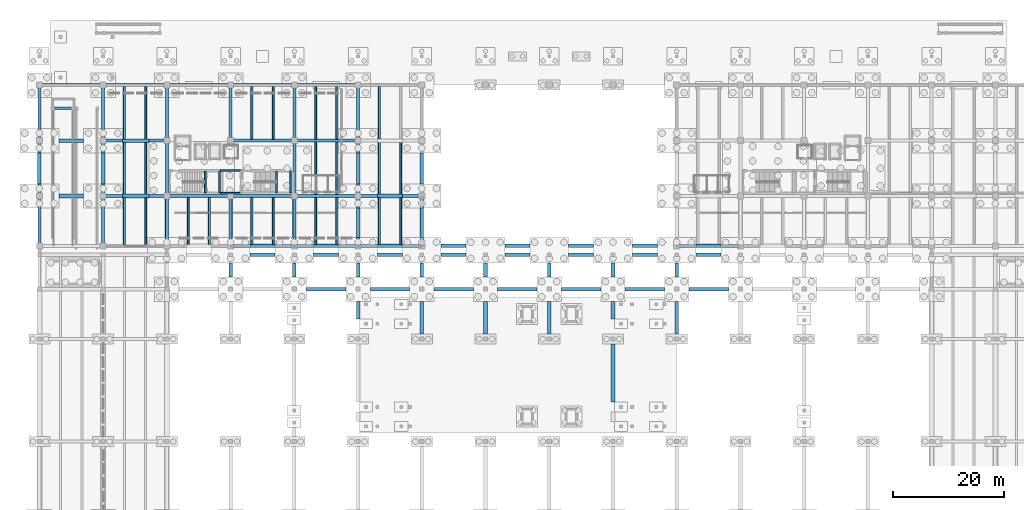
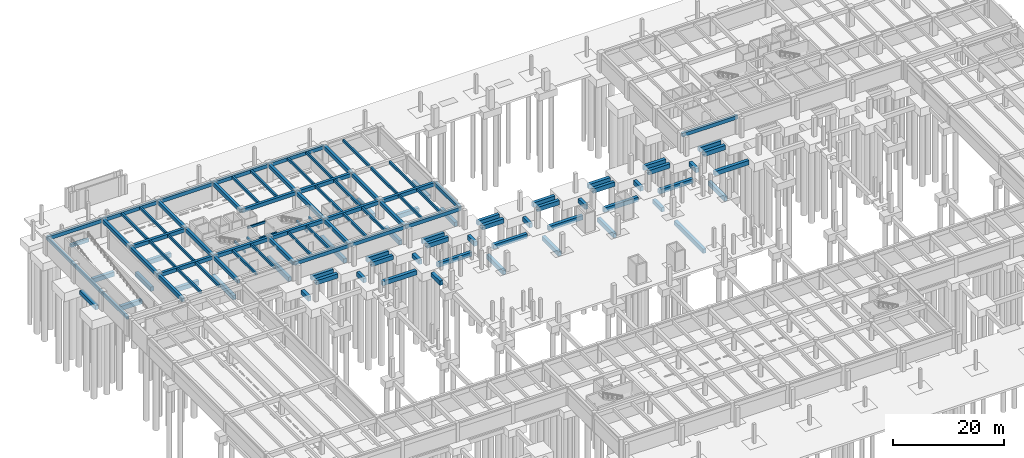
# One storey, part 13 of 28: 117 beams.
"""IFC4 building model written with IfcOpenShell, lengths in metres."""

from ifc_helpers import new_model, si_unit, direction, frame, origin, origin_2d, place, context, subcontext, project, spatial, rectangle, extrude, material, material_profile, profile_set, type_object, element, save


model = new_model("IFC4")

# Units and contexts
model_context = context("Model", 3, precision=1e-05, world=origin(), true_north=direction((0.0, 1.0)))
body_context = subcontext(model_context, "Body", "Model", "MODEL_VIEW")
ifc_project = project(units=[si_unit("LENGTHUNIT", "METRE"), si_unit("AREAUNIT", "SQUARE_METRE"), si_unit("VOLUMEUNIT", "CUBIC_METRE"), si_unit("PLANEANGLEUNIT", "RADIAN"), si_unit("MASSUNIT", "GRAM", prefix="KILO")], contexts=[model_context])

# Site, building, storey
site_placement = place(None, origin())
site = spatial("IfcSite", under=ifc_project, at=site_placement, CompositionType="ELEMENT")
building_placement = place(site_placement, origin())
building = spatial("IfcBuilding", under=site, at=building_placement, Name="Ologun Quay Terminus", CompositionType="ELEMENT")
storey_placement = place(building_placement, frame((0.0, 0.0, -8.39990234375)))
storey = spatial("IfcBuildingStorey", under=building, at=storey_placement, Name="B02", CompositionType="ELEMENT", Elevation=-8.39990234375)

# Beams
ifc_material_1 = material(Name="Concrete C40/50", Category="concrete")
ifc_material_profile_1 = material_profile(ifc_material_1, rectangle(XDim=0.300048828125, YDim=0.449951171875, at=origin_2d()), Name="RC 300x450")
ifc_profile_set_1 = profile_set([ifc_material_profile_1], Name="Concrete C40/50")
beam_type_1 = type_object("IfcBeamType", Name="Core Coupling Lintel Beam 300x450", PredefinedType="LINTEL", material=ifc_profile_set_1)
for number, where, z_axis, x_axis, name in (
    (1, (32.64990234375, 95.324951171875, 3.724853515625), (1.0, 0.0, 0.0), (0.0, 1.0, 0.0), "LN1 Beam 4/H B02"),
    (2, (32.64990234375, 99.375, 3.724853515625), (1.0, 0.0, 0.0), (0.0, 1.0, 0.0), "LN1 Beam 4/H B02"),
):
    element("IfcBeam", number, at=place(storey_placement, frame(where, z_axis=z_axis, x_axis=x_axis)), inside=storey, type_object=beam_type_1, Name=name, PredefinedType="LINTEL", context=body_context, shape_type="SweptSolid", body=[
        extrude(rectangle(XDim=0.300048828125, YDim=0.449951171875, at=origin_2d()), origin(), (0.0, 0.0, 1.0), 3.7001953125),
    ])
for number, where, z_axis, x_axis, name in (
    (3, (29.93994140625, 95.429931640625, 1.69482421875), (0.0, 1.0, 0.0), (-1.0, 0.0, 0.0), "LN1 Half-Landing Ledger Beam ST-W1-W B02"),
    (4, (32.510009765625, 95.429931640625, 1.69482421875), (0.0, 1.0, 0.0), (-1.0, 0.0, 0.0), "LN1 Half-Landing Ledger Beam ST-W1-E B02"),
    (5, (42.7900390625, 95.429931640625, 1.69482421875), (0.0, 1.0, 0.0), (-1.0, 0.0, 0.0), "LN1 Half-Landing Ledger Beam ST-W2-W B02"),
    (6, (45.31005859375, 95.429931640625, 1.69482421875), (0.0, 1.0, 0.0), (-1.0, 0.0, 0.0), "LN1 Half-Landing Ledger Beam ST-W2-E B02"),
):
    element("IfcBeam", number, at=place(storey_placement, frame(where, z_axis=z_axis, x_axis=x_axis)), inside=storey, type_object=beam_type_1, Name=name, PredefinedType="LINTEL", context=body_context, shape_type="SweptSolid", body=[
        extrude(rectangle(XDim=0.300048828125, YDim=0.449951171875, at=origin_2d()), origin(), (0.0, 0.0, 1.0), 3.840087890625),
    ])
ifc_material_2 = material(Name="Concrete C40/50", Category="concrete")
ifc_material_profile_2 = material_profile(ifc_material_2, rectangle(XDim=0.550048828125, YDim=0.800048828125, at=origin_2d()), Name="RC 550x800")
ifc_profile_set_2 = profile_set([ifc_material_profile_2], Name="Concrete C40/50")
beam_type_2 = type_object("IfcBeamType", Name="Courtyard Wing Primary Girder 550x800", PredefinedType="BEAM", material=ifc_profile_set_2)
for number, where, z_axis, x_axis, name in (
    (7, (34.5, 85.800048828125, 3.52001953125), (1.0, 0.0, 0.0), (0.0, 1.0, 0.0), "B4 Beam 4/G2 B02"),
    (8, (46.0, 85.800048828125, 3.52001953125), (1.0, 0.0, 0.0), (0.0, 1.0, 0.0), "B4 Beam 5/G2 B02"),
    (9, (57.5, 85.800048828125, 3.52001953125), (1.0, 0.0, 0.0), (0.0, 1.0, 0.0), "B4 Beam 6/G2 B02"),
    (10, (115.0, 85.800048828125, 3.52001953125), (1.0, 0.0, 0.0), (0.0, 1.0, 0.0), "B4 Beam 11/G2 B02"),
    (11, (11.5, 94.800048828125, 3.52001953125), (1.0, 0.0, 0.0), (0.0, 1.0, 0.0), "B4 Beam 2/H B02"),
    (12, (23.0, 94.800048828125, 3.52001953125), (1.0, 0.0, 0.0), (0.0, 1.0, 0.0), "B4 Beam 3/H B02"),
    (13, (34.5, 94.800048828125, 3.52001953125), (1.0, 0.0, 0.0), (0.0, 1.0, 0.0), "B4 Beam 4/H B02"),
    (14, (46.0, 94.800048828125, 3.52001953125), (1.0, 0.0, 0.0), (0.0, 1.0, 0.0), "B4 Beam 5/H B02"),
    (15, (57.5, 94.800048828125, 3.52001953125), (1.0, 0.0, 0.0), (0.0, 1.0, 0.0), "B4 Beam 6/H B02"),
    (16, (11.5, 104.800048828125, 3.52001953125), (1.0, 0.0, 0.0), (0.0, 1.0, 0.0), "B4 Beam 2/J B02"),
    (17, (34.5, 104.800048828125, 3.52001953125), (1.0, 0.0, 0.0), (0.0, 1.0, 0.0), "B4 Beam 4/J B02"),
    (18, (46.0, 104.800048828125, 3.52001953125), (1.0, 0.0, 0.0), (0.0, 1.0, 0.0), "B4 Beam 5/J B02"),
    (19, (0.0, 114.800048828125, 3.52001953125), (1.0, 0.0, 0.0), (0.0, 1.0, 0.0), "B4 Beam 1/K B02"),
    (20, (11.5, 114.800048828125, 3.52001953125), (1.0, 0.0, 0.0), (0.0, 1.0, 0.0), "B4 Beam 2/K B02"),
    (21, (23.0, 114.800048828125, 3.52001953125), (1.0, 0.0, 0.0), (0.0, 1.0, 0.0), "B4 Beam 3/K B02"),
    (22, (34.5, 114.800048828125, 3.52001953125), (1.0, 0.0, 0.0), (0.0, 1.0, 0.0), "B4 Beam 4/K B02"),
    (23, (46.0, 114.800048828125, 3.52001953125), (1.0, 0.0, 0.0), (0.0, 1.0, 0.0), "B4 Beam 5/K B02"),
):
    element("IfcBeam", number, at=place(storey_placement, frame(where, z_axis=z_axis, x_axis=x_axis)), inside=storey, type_object=beam_type_2, Name=name, PredefinedType="BEAM", context=body_context, shape_type="SweptSolid", body=[
        extrude(rectangle(XDim=0.550048828125, YDim=0.800048828125, at=origin_2d()), origin(), (0.0, 0.0, 1.0), 11.5),
    ])
beam_1_placement = place(storey_placement, frame((11.5, 85.800048828125, 3.52001953125), z_axis=(0.0, 1.0, 0.0), x_axis=(-1.0, 0.0, 0.0)))
element("IfcBeam", 24, at=beam_1_placement, inside=storey, type_object=beam_type_2, Name="B4 Beam 2/G2 B02", PredefinedType="BEAM", context=body_context, shape_type="SweptSolid", body=[
    extrude(rectangle(XDim=0.550048828125, YDim=0.800048828125, at=origin_2d()), origin(), (0.0, 0.0, 1.0), 9.0),
])
for number, where, z_axis, x_axis, name in (
    (25, (11.5, 94.800048828125, 3.52001953125), (0.0, 1.0, 0.0), (-1.0, 0.0, 0.0), "B4 Beam 2/H B02"),
    (26, (11.5, 104.800048828125, 3.52001953125), (0.0, 1.0, 0.0), (-1.0, 0.0, 0.0), "B4 Beam 2/J B02"),
):
    element("IfcBeam", number, at=place(storey_placement, frame(where, z_axis=z_axis, x_axis=x_axis)), inside=storey, type_object=beam_type_2, Name=name, PredefinedType="BEAM", context=body_context, shape_type="SweptSolid", body=[
        extrude(rectangle(XDim=0.550048828125, YDim=0.800048828125, at=origin_2d()), origin(), (0.0, 0.0, 1.0), 10.0),
    ])
beam_2_placement = place(storey_placement, frame((23.0, 85.800048828125, 3.52001953125), z_axis=(0.0, 1.0, 0.0), x_axis=(-1.0, 0.0, 0.0)))
element("IfcBeam", 27, at=beam_2_placement, inside=storey, type_object=beam_type_2, Name="B4 Beam 3/G2 B02", PredefinedType="BEAM", context=body_context, shape_type="SweptSolid", body=[
    extrude(rectangle(XDim=0.550048828125, YDim=0.800048828125, at=origin_2d()), origin(), (0.0, 0.0, 1.0), 9.0),
])
for number, where, z_axis, x_axis, name in (
    (28, (23.0, 94.800048828125, 3.52001953125), (0.0, 1.0, 0.0), (-1.0, 0.0, 0.0), "B4 Beam 3/H B02"),
    (29, (23.0, 104.800048828125, 3.52001953125), (0.0, 1.0, 0.0), (-1.0, 0.0, 0.0), "B4 Beam 3/J B02"),
):
    element("IfcBeam", number, at=place(storey_placement, frame(where, z_axis=z_axis, x_axis=x_axis)), inside=storey, type_object=beam_type_2, Name=name, PredefinedType="BEAM", context=body_context, shape_type="SweptSolid", body=[
        extrude(rectangle(XDim=0.550048828125, YDim=0.800048828125, at=origin_2d()), origin(), (0.0, 0.0, 1.0), 10.0),
    ])
beam_3_placement = place(storey_placement, frame((34.5, 85.800048828125, 3.52001953125), z_axis=(0.0, 1.0, 0.0), x_axis=(-1.0, 0.0, 0.0)))
element("IfcBeam", 30, at=beam_3_placement, inside=storey, type_object=beam_type_2, Name="B4 Beam 4/G2 B02", PredefinedType="BEAM", context=body_context, shape_type="SweptSolid", body=[
    extrude(rectangle(XDim=0.550048828125, YDim=0.800048828125, at=origin_2d()), origin(), (0.0, 0.0, 1.0), 9.0),
])
beam_4_placement = place(storey_placement, frame((34.5, 104.800048828125, 3.52001953125), z_axis=(0.0, 1.0, 0.0), x_axis=(-1.0, 0.0, 0.0)))
element("IfcBeam", 31, at=beam_4_placement, inside=storey, type_object=beam_type_2, Name="B4 Beam 4/J B02", PredefinedType="BEAM", context=body_context, shape_type="SweptSolid", body=[
    extrude(rectangle(XDim=0.550048828125, YDim=0.800048828125, at=origin_2d()), origin(), (0.0, 0.0, 1.0), 10.0),
])
beam_5_placement = place(storey_placement, frame((46.0, 85.800048828125, 3.52001953125), z_axis=(0.0, 1.0, 0.0), x_axis=(-1.0, 0.0, 0.0)))
element("IfcBeam", 32, at=beam_5_placement, inside=storey, type_object=beam_type_2, Name="B4 Beam 5/G2 B02", PredefinedType="BEAM", context=body_context, shape_type="SweptSolid", body=[
    extrude(rectangle(XDim=0.550048828125, YDim=0.800048828125, at=origin_2d()), origin(), (0.0, 0.0, 1.0), 9.0),
])
for number, where, z_axis, x_axis, name in (
    (33, (46.0, 94.800048828125, 3.52001953125), (0.0, 1.0, 0.0), (-1.0, 0.0, 0.0), "B4 Beam 5/H B02"),
    (34, (46.0, 104.800048828125, 3.52001953125), (0.0, 1.0, 0.0), (-1.0, 0.0, 0.0), "B4 Beam 5/J B02"),
):
    element("IfcBeam", number, at=place(storey_placement, frame(where, z_axis=z_axis, x_axis=x_axis)), inside=storey, type_object=beam_type_2, Name=name, PredefinedType="BEAM", context=body_context, shape_type="SweptSolid", body=[
        extrude(rectangle(XDim=0.550048828125, YDim=0.800048828125, at=origin_2d()), origin(), (0.0, 0.0, 1.0), 10.0),
    ])
beam_6_placement = place(storey_placement, frame((57.5, 85.800048828125, 3.52001953125), z_axis=(0.0, 1.0, 0.0), x_axis=(-1.0, 0.0, 0.0)))
element("IfcBeam", 35, at=beam_6_placement, inside=storey, type_object=beam_type_2, Name="B4 Beam 6/G2 B02", PredefinedType="BEAM", context=body_context, shape_type="SweptSolid", body=[
    extrude(rectangle(XDim=0.550048828125, YDim=0.800048828125, at=origin_2d()), origin(), (0.0, 0.0, 1.0), 9.0),
])
for number, where, z_axis, x_axis, name in (
    (36, (57.5, 94.800048828125, 3.52001953125), (0.0, 1.0, 0.0), (-1.0, 0.0, 0.0), "B4 Beam 6/H B02"),
    (37, (57.5, 104.800048828125, 3.52001953125), (0.0, 1.0, 0.0), (-1.0, 0.0, 0.0), "B4 Beam 6/J B02"),
):
    element("IfcBeam", number, at=place(storey_placement, frame(where, z_axis=z_axis, x_axis=x_axis)), inside=storey, type_object=beam_type_2, Name=name, PredefinedType="BEAM", context=body_context, shape_type="SweptSolid", body=[
        extrude(rectangle(XDim=0.550048828125, YDim=0.800048828125, at=origin_2d()), origin(), (0.0, 0.0, 1.0), 10.0),
    ])
beam_7_placement = place(storey_placement, frame((69.0, 85.800048828125, 3.52001953125), z_axis=(0.0, 1.0, 0.0), x_axis=(-1.0, 0.0, 0.0)))
element("IfcBeam", 38, at=beam_7_placement, inside=storey, type_object=beam_type_2, Name="B4 Beam 7/G2 B02", PredefinedType="BEAM", context=body_context, shape_type="SweptSolid", body=[
    extrude(rectangle(XDim=0.550048828125, YDim=0.800048828125, at=origin_2d()), origin(), (0.0, 0.0, 1.0), 9.0),
])
ifc_material_3 = material(Name="Concrete C40/50", Category="concrete")
ifc_material_profile_3 = material_profile(ifc_material_3, rectangle(XDim=0.35009765625, YDim=0.550048828125, at=origin_2d()), Name="RC 350x550")
ifc_profile_set_3 = profile_set([ifc_material_profile_3], Name="Concrete C40/50")
beam_type_3 = type_object("IfcBeamType", Name="Courtyard Wing Secondary Joist 350x550", PredefinedType="JOIST", material=ifc_profile_set_3)
for number, where, z_axis, x_axis, name in (
    (39, (15.333251953125, 86.074951171875, 3.64501953125), (0.0, 1.0, 0.0), (-1.0, 0.0, 0.0), "J2 Beam 2/G2 B02"),
    (40, (19.166748046875, 86.074951171875, 3.64501953125), (0.0, 1.0, 0.0), (-1.0, 0.0, 0.0), "J2 Beam 2/G2 B02"),
):
    element("IfcBeam", number, at=place(storey_placement, frame(where, z_axis=z_axis, x_axis=x_axis)), inside=storey, type_object=beam_type_3, Name=name, PredefinedType="JOIST", context=body_context, shape_type="SweptSolid", body=[
        extrude(rectangle(XDim=0.35009765625, YDim=0.550048828125, at=origin_2d()), origin(), (0.0, 0.0, 1.0), 8.449951171875),
    ])
for number, where, z_axis, x_axis, name in (
    (41, (15.333251953125, 95.074951171875, 3.64501953125), (0.0, 1.0, 0.0), (-1.0, 0.0, 0.0), "J2 Beam 2/H B02"),
    (42, (19.166748046875, 95.074951171875, 3.64501953125), (0.0, 1.0, 0.0), (-1.0, 0.0, 0.0), "J2 Beam 2/H B02"),
    (43, (15.333251953125, 105.074951171875, 3.64501953125), (0.0, 1.0, 0.0), (-1.0, 0.0, 0.0), "J2 Beam 2/J B02"),
    (44, (19.166748046875, 105.074951171875, 3.64501953125), (0.0, 1.0, 0.0), (-1.0, 0.0, 0.0), "J2 Beam 2/J B02"),
):
    element("IfcBeam", number, at=place(storey_placement, frame(where, z_axis=z_axis, x_axis=x_axis)), inside=storey, type_object=beam_type_3, Name=name, PredefinedType="JOIST", context=body_context, shape_type="SweptSolid", body=[
        extrude(rectangle(XDim=0.35009765625, YDim=0.550048828125, at=origin_2d()), origin(), (0.0, 0.0, 1.0), 9.449951171875),
    ])
for number, where, z_axis, x_axis, name in (
    (45, (26.833251953125, 86.074951171875, 3.64501953125), (0.0, 1.0, 0.0), (-1.0, 0.0, 0.0), "J2 Beam 3/G2 B02"),
    (46, (30.666748046875, 86.074951171875, 3.64501953125), (0.0, 1.0, 0.0), (-1.0, 0.0, 0.0), "J2 Beam 3/G2 B02"),
    (47, (38.333251953125, 86.074951171875, 3.64501953125), (0.0, 1.0, 0.0), (-1.0, 0.0, 0.0), "J2 Beam 4/G2 B02"),
    (48, (42.166748046875, 86.074951171875, 3.64501953125), (0.0, 1.0, 0.0), (-1.0, 0.0, 0.0), "J2 Beam 4/G2 B02"),
):
    element("IfcBeam", number, at=place(storey_placement, frame(where, z_axis=z_axis, x_axis=x_axis)), inside=storey, type_object=beam_type_3, Name=name, PredefinedType="JOIST", context=body_context, shape_type="SweptSolid", body=[
        extrude(rectangle(XDim=0.35009765625, YDim=0.550048828125, at=origin_2d()), origin(), (0.0, 0.0, 1.0), 8.449951171875),
    ])
for number, where, z_axis, x_axis, name in (
    (49, (38.333251953125, 105.074951171875, 3.64501953125), (0.0, 1.0, 0.0), (-1.0, 0.0, 0.0), "J2 Beam 4/J B02"),
    (50, (42.166748046875, 105.074951171875, 3.64501953125), (0.0, 1.0, 0.0), (-1.0, 0.0, 0.0), "J2 Beam 4/J B02"),
):
    element("IfcBeam", number, at=place(storey_placement, frame(where, z_axis=z_axis, x_axis=x_axis)), inside=storey, type_object=beam_type_3, Name=name, PredefinedType="JOIST", context=body_context, shape_type="SweptSolid", body=[
        extrude(rectangle(XDim=0.35009765625, YDim=0.550048828125, at=origin_2d()), origin(), (0.0, 0.0, 1.0), 9.449951171875),
    ])
for number, where, z_axis, x_axis, name in (
    (51, (49.833251953125, 86.074951171875, 3.64501953125), (0.0, 1.0, 0.0), (-1.0, 0.0, 0.0), "J2 Beam 5/G2 B02"),
    (52, (53.666748046875, 86.074951171875, 3.64501953125), (0.0, 1.0, 0.0), (-1.0, 0.0, 0.0), "J2 Beam 5/G2 B02"),
):
    element("IfcBeam", number, at=place(storey_placement, frame(where, z_axis=z_axis, x_axis=x_axis)), inside=storey, type_object=beam_type_3, Name=name, PredefinedType="JOIST", context=body_context, shape_type="SweptSolid", body=[
        extrude(rectangle(XDim=0.35009765625, YDim=0.550048828125, at=origin_2d()), origin(), (0.0, 0.0, 1.0), 8.449951171875),
    ])
for number, where, z_axis, x_axis, name in (
    (53, (49.833251953125, 95.074951171875, 3.64501953125), (0.0, 1.0, 0.0), (-1.0, 0.0, 0.0), "J2 Beam 5/H B02"),
    (54, (53.666748046875, 95.074951171875, 3.64501953125), (0.0, 1.0, 0.0), (-1.0, 0.0, 0.0), "J2 Beam 5/H B02"),
    (55, (49.833251953125, 105.074951171875, 3.64501953125), (0.0, 1.0, 0.0), (-1.0, 0.0, 0.0), "J2 Beam 5/J B02"),
    (56, (53.666748046875, 105.074951171875, 3.64501953125), (0.0, 1.0, 0.0), (-1.0, 0.0, 0.0), "J2 Beam 5/J B02"),
):
    element("IfcBeam", number, at=place(storey_placement, frame(where, z_axis=z_axis, x_axis=x_axis)), inside=storey, type_object=beam_type_3, Name=name, PredefinedType="JOIST", context=body_context, shape_type="SweptSolid", body=[
        extrude(rectangle(XDim=0.35009765625, YDim=0.550048828125, at=origin_2d()), origin(), (0.0, 0.0, 1.0), 9.449951171875),
    ])
for number, where, z_axis, x_axis, name in (
    (57, (61.333251953125, 86.074951171875, 3.64501953125), (0.0, 1.0, 0.0), (-1.0, 0.0, 0.0), "J2 Beam 6/G2 B02"),
    (58, (65.166748046875, 86.074951171875, 3.64501953125), (0.0, 1.0, 0.0), (-1.0, 0.0, 0.0), "J2 Beam 6/G2 B02"),
):
    element("IfcBeam", number, at=place(storey_placement, frame(where, z_axis=z_axis, x_axis=x_axis)), inside=storey, type_object=beam_type_3, Name=name, PredefinedType="JOIST", context=body_context, shape_type="SweptSolid", body=[
        extrude(rectangle(XDim=0.35009765625, YDim=0.550048828125, at=origin_2d()), origin(), (0.0, 0.0, 1.0), 8.449951171875),
    ])
for number, where, z_axis, x_axis, name in (
    (59, (61.333251953125, 95.074951171875, 3.64501953125), (0.0, 1.0, 0.0), (-1.0, 0.0, 0.0), "J2 Beam 6/H B02"),
    (60, (65.166748046875, 95.074951171875, 3.64501953125), (0.0, 1.0, 0.0), (-1.0, 0.0, 0.0), "J2 Beam 6/H B02"),
    (61, (61.333251953125, 105.074951171875, 3.64501953125), (0.0, 1.0, 0.0), (-1.0, 0.0, 0.0), "J2 Beam 6/J B02"),
):
    element("IfcBeam", number, at=place(storey_placement, frame(where, z_axis=z_axis, x_axis=x_axis)), inside=storey, type_object=beam_type_3, Name=name, PredefinedType="JOIST", context=body_context, shape_type="SweptSolid", body=[
        extrude(rectangle(XDim=0.35009765625, YDim=0.550048828125, at=origin_2d()), origin(), (0.0, 0.0, 1.0), 9.449951171875),
    ])
ifc_material_4 = material(Name="Concrete C35/45", Category="concrete")
ifc_material_profile_4 = material_profile(ifc_material_4, rectangle(XDim=0.64990234375, YDim=0.949951171875, at=origin_2d()), Name="RC 650x950")
ifc_profile_set_4 = profile_set([ifc_material_profile_4], Name="Concrete C35/45")
beam_type_4 = type_object("IfcBeamType", Name="Foundation Tie Beam 650x950", PredefinedType="BEAM", material=ifc_profile_set_4)
for number, where, z_axis, x_axis, name in (
    (62, (48.199951171875, 78.0, -0.925048828125), (1.0, 0.0, 0.0), (0.0, 1.0, 0.0), "GB1 Beam 1/F B02"),
    (63, (59.699951171875, 78.0, -0.925048828125), (1.0, 0.0, 0.0), (0.0, 1.0, 0.0), "GB1 Beam 1/F B02"),
    (64, (71.199951171875, 78.0, -0.925048828125), (1.0, 0.0, 0.0), (0.0, 1.0, 0.0), "GB1 Beam 1/F B02"),
    (65, (82.699951171875, 78.0, -0.925048828125), (1.0, 0.0, 0.0), (0.0, 1.0, 0.0), "GB1 Beam 1/F B02"),
    (66, (94.199951171875, 78.0, -0.925048828125), (1.0, 0.0, 0.0), (0.0, 1.0, 0.0), "GB1 Beam 1/F B02"),
    (67, (105.699951171875, 78.0, -0.925048828125), (1.0, 0.0, 0.0), (0.0, 1.0, 0.0), "GB1 Beam 1/F B02"),
    (68, (117.199951171875, 78.0, -0.925048828125), (1.0, 0.0, 0.0), (0.0, 1.0, 0.0), "GB1 Beam 1/F B02"),
):
    element("IfcBeam", number, at=place(storey_placement, frame(where, z_axis=z_axis, x_axis=x_axis)), inside=storey, type_object=beam_type_4, Name=name, PredefinedType="BEAM", context=body_context, shape_type="SweptSolid", body=[
        extrude(rectangle(XDim=0.64990234375, YDim=0.949951171875, at=origin_2d()), origin(), (0.0, 0.0, 1.0), 7.10009765625),
    ])
for number, where, z_axis, x_axis, name in (
    (69, (38.0, 84.199951171875, -0.925048828125), (1.0, 0.0, 0.0), (0.0, 1.0, 0.0), "GB1 Beam 1/G1 B02"),
    (70, (49.5, 84.199951171875, -0.925048828125), (1.0, 0.0, 0.0), (0.0, 1.0, 0.0), "GB1 Beam 1/G1 B02"),
    (71, (61.0, 84.199951171875, -0.925048828125), (1.0, 0.0, 0.0), (0.0, 1.0, 0.0), "GB1 Beam 1/G1 B02"),
    (72, (72.5, 84.199951171875, -0.925048828125), (1.0, 0.0, 0.0), (0.0, 1.0, 0.0), "GB1 Beam 1/G1 B02"),
    (73, (84.0, 84.199951171875, -0.925048828125), (1.0, 0.0, 0.0), (0.0, 1.0, 0.0), "GB1 Beam 1/G1 B02"),
    (74, (95.5, 84.199951171875, -0.925048828125), (1.0, 0.0, 0.0), (0.0, 1.0, 0.0), "GB1 Beam 1/G1 B02"),
    (75, (107.0, 84.199951171875, -0.925048828125), (1.0, 0.0, 0.0), (0.0, 1.0, 0.0), "GB1 Beam 1/G1 B02"),
    (76, (118.5, 84.199951171875, -0.925048828125), (1.0, 0.0, 0.0), (0.0, 1.0, 0.0), "GB1 Beam 1/G1 B02"),
    (77, (38.0, 85.800048828125, -0.925048828125), (1.0, 0.0, 0.0), (0.0, 1.0, 0.0), "GB1 Beam 1/G2 B02"),
    (78, (49.5, 85.800048828125, -0.925048828125), (1.0, 0.0, 0.0), (0.0, 1.0, 0.0), "GB1 Beam 1/G2 B02"),
    (79, (61.0, 85.800048828125, -0.925048828125), (1.0, 0.0, 0.0), (0.0, 1.0, 0.0), "GB1 Beam 1/G2 B02"),
    (80, (72.5, 85.800048828125, -0.925048828125), (1.0, 0.0, 0.0), (0.0, 1.0, 0.0), "GB1 Beam 1/G2 B02"),
    (81, (84.0, 85.800048828125, -0.925048828125), (1.0, 0.0, 0.0), (0.0, 1.0, 0.0), "GB1 Beam 1/G2 B02"),
    (82, (95.5, 85.800048828125, -0.925048828125), (1.0, 0.0, 0.0), (0.0, 1.0, 0.0), "GB1 Beam 1/G2 B02"),
    (83, (107.0, 85.800048828125, -0.925048828125), (1.0, 0.0, 0.0), (0.0, 1.0, 0.0), "GB1 Beam 1/G2 B02"),
    (84, (118.5, 85.800048828125, -0.925048828125), (1.0, 0.0, 0.0), (0.0, 1.0, 0.0), "GB1 Beam 1/G2 B02"),
    (85, (3.5, 94.800048828125, -0.925048828125), (1.0, 0.0, 0.0), (0.0, 1.0, 0.0), "GB1 Beam 1/H B02"),
):
    element("IfcBeam", number, at=place(storey_placement, frame(where, z_axis=z_axis, x_axis=x_axis)), inside=storey, type_object=beam_type_4, Name=name, PredefinedType="BEAM", context=body_context, shape_type="SweptSolid", body=[
        extrude(rectangle(XDim=0.64990234375, YDim=0.949951171875, at=origin_2d()), origin(), (0.0, 0.0, 1.0), 4.5),
    ])
beam_8_placement = place(storey_placement, frame((15.0, 94.800048828125, -0.925048828125), z_axis=(1.0, 0.0, 0.0), x_axis=(0.0, 1.0, 0.0)))
element("IfcBeam", 86, at=beam_8_placement, inside=storey, type_object=beam_type_4, Name="GB1 Beam 1/H B02", PredefinedType="BEAM", context=body_context, shape_type="SweptSolid", body=[
    extrude(rectangle(XDim=0.64990234375, YDim=0.949951171875, at=origin_2d()), origin(), (0.0, 0.0, 1.0), 4.800048828125),
])
for number, where, z_axis, x_axis, name in (
    (87, (61.0, 94.800048828125, -0.925048828125), (1.0, 0.0, 0.0), (0.0, 1.0, 0.0), "GB1 Beam 1/H B02"),
    (88, (3.5, 104.800048828125, -0.925048828125), (1.0, 0.0, 0.0), (0.0, 1.0, 0.0), "GB1 Beam 1/J B02"),
):
    element("IfcBeam", number, at=place(storey_placement, frame(where, z_axis=z_axis, x_axis=x_axis)), inside=storey, type_object=beam_type_4, Name=name, PredefinedType="BEAM", context=body_context, shape_type="SweptSolid", body=[
        extrude(rectangle(XDim=0.64990234375, YDim=0.949951171875, at=origin_2d()), origin(), (0.0, 0.0, 1.0), 4.5),
    ])
beam_9_placement = place(storey_placement, frame((15.0, 104.800048828125, -0.925048828125), z_axis=(1.0, 0.0, 0.0), x_axis=(0.0, 1.0, 0.0)))
element("IfcBeam", 89, at=beam_9_placement, inside=storey, type_object=beam_type_4, Name="GB1 Beam 1/J B02", PredefinedType="BEAM", context=body_context, shape_type="SweptSolid", body=[
    extrude(rectangle(XDim=0.64990234375, YDim=0.949951171875, at=origin_2d()), origin(), (0.0, 0.0, 1.0), 4.800048828125),
])
for number, where, z_axis, x_axis, name in (
    (90, (0.0, 97.0, -0.925048828125), (0.0, 1.0, 0.0), (-1.0, 0.0, 0.0), "GB1 Beam 1/B B02"),
    (91, (11.5, 97.0, -0.925048828125), (0.0, 1.0, 0.0), (-1.0, 0.0, 0.0), "GB1 Beam 2/B B02"),
):
    element("IfcBeam", number, at=place(storey_placement, frame(where, z_axis=z_axis, x_axis=x_axis)), inside=storey, type_object=beam_type_4, Name=name, PredefinedType="BEAM", context=body_context, shape_type="SweptSolid", body=[
        extrude(rectangle(XDim=0.64990234375, YDim=0.949951171875, at=origin_2d()), origin(), (0.0, 0.0, 1.0), 5.60009765625),
    ])
beam_10_placement = place(storey_placement, frame((23.0, 87.300048828125, -0.925048828125), z_axis=(0.0, 1.0, 0.0), x_axis=(-1.0, 0.0, 0.0)))
element("IfcBeam", 92, at=beam_10_placement, inside=storey, type_object=beam_type_4, Name="GB1 Beam 3/B B02", PredefinedType="BEAM", context=body_context, shape_type="SweptSolid", body=[
    extrude(rectangle(XDim=0.64990234375, YDim=0.949951171875, at=origin_2d()), origin(), (0.0, 0.0, 1.0), 7.699951171875),
])
beam_11_placement = place(storey_placement, frame((34.5, 80.199951171875, -0.925048828125), z_axis=(0.0, 1.0, 0.0), x_axis=(-1.0, 0.0, 0.0)))
element("IfcBeam", 93, at=beam_11_placement, inside=storey, type_object=beam_type_4, Name="GB1 Beam 4/B B02", PredefinedType="BEAM", context=body_context, shape_type="SweptSolid", body=[
    extrude(rectangle(XDim=0.64990234375, YDim=0.949951171875, at=origin_2d()), origin(), (0.0, 0.0, 1.0), 2.5),
])
beam_12_placement = place(storey_placement, frame((34.5, 87.300048828125, -0.925048828125), z_axis=(0.0, 1.0, 0.0), x_axis=(-1.0, 0.0, 0.0)))
element("IfcBeam", 94, at=beam_12_placement, inside=storey, type_object=beam_type_4, Name="GB1 Beam 4/B B02", PredefinedType="BEAM", context=body_context, shape_type="SweptSolid", body=[
    extrude(rectangle(XDim=0.64990234375, YDim=0.949951171875, at=origin_2d()), origin(), (0.0, 0.0, 1.0), 7.699951171875),
])
beam_13_placement = place(storey_placement, frame((46.0, 80.199951171875, -0.925048828125), z_axis=(0.0, 1.0, 0.0), x_axis=(-1.0, 0.0, 0.0)))
element("IfcBeam", 95, at=beam_13_placement, inside=storey, type_object=beam_type_4, Name="GB1 Beam 5/B B02", PredefinedType="BEAM", context=body_context, shape_type="SweptSolid", body=[
    extrude(rectangle(XDim=0.64990234375, YDim=0.949951171875, at=origin_2d()), origin(), (0.0, 0.0, 1.0), 2.5),
])
beam_14_placement = place(storey_placement, frame((46.0, 87.300048828125, -0.925048828125), z_axis=(0.0, 1.0, 0.0), x_axis=(-1.0, 0.0, 0.0)))
element("IfcBeam", 96, at=beam_14_placement, inside=storey, type_object=beam_type_4, Name="GB1 Beam 5/B B02", PredefinedType="BEAM", context=body_context, shape_type="SweptSolid", body=[
    extrude(rectangle(XDim=0.64990234375, YDim=0.949951171875, at=origin_2d()), origin(), (0.0, 0.0, 1.0), 8.5),
])
beam_15_placement = place(storey_placement, frame((57.5, 72.64990234375, -0.925048828125), z_axis=(0.0, 1.0, 0.0), x_axis=(-1.0, 0.0, 0.0)))
element("IfcBeam", 97, at=beam_15_placement, inside=storey, type_object=beam_type_4, Name="GB1 Beam 6/B B02", PredefinedType="BEAM", context=body_context, shape_type="SweptSolid", body=[
    extrude(rectangle(XDim=0.64990234375, YDim=0.949951171875, at=origin_2d()), origin(), (0.0, 0.0, 1.0), 3.150146484375),
])
beam_16_placement = place(storey_placement, frame((57.5, 80.199951171875, -0.925048828125), z_axis=(0.0, 1.0, 0.0), x_axis=(-1.0, 0.0, 0.0)))
element("IfcBeam", 98, at=beam_16_placement, inside=storey, type_object=beam_type_4, Name="GB1 Beam 6/B B02", PredefinedType="BEAM", context=body_context, shape_type="SweptSolid", body=[
    extrude(rectangle(XDim=0.64990234375, YDim=0.949951171875, at=origin_2d()), origin(), (0.0, 0.0, 1.0), 2.5),
])
beam_17_placement = place(storey_placement, frame((57.5, 87.300048828125, -0.925048828125), z_axis=(0.0, 1.0, 0.0), x_axis=(-1.0, 0.0, 0.0)))
element("IfcBeam", 99, at=beam_17_placement, inside=storey, type_object=beam_type_4, Name="GB1 Beam 6/B B02", PredefinedType="BEAM", context=body_context, shape_type="SweptSolid", body=[
    extrude(rectangle(XDim=0.64990234375, YDim=0.949951171875, at=origin_2d()), origin(), (0.0, 0.0, 1.0), 5.300048828125),
])
beam_18_placement = place(storey_placement, frame((57.5, 97.0, -0.925048828125), z_axis=(0.0, 1.0, 0.0), x_axis=(-1.0, 0.0, 0.0)))
element("IfcBeam", 100, at=beam_18_placement, inside=storey, type_object=beam_type_4, Name="GB1 Beam 6/B B02", PredefinedType="BEAM", context=body_context, shape_type="SweptSolid", body=[
    extrude(rectangle(XDim=0.64990234375, YDim=0.949951171875, at=origin_2d()), origin(), (0.0, 0.0, 1.0), 5.60009765625),
])
beam_19_placement = place(storey_placement, frame((69.0, 69.89990234375, -0.925048828125), z_axis=(0.0, 1.0, 0.0), x_axis=(-1.0, 0.0, 0.0)))
element("IfcBeam", 101, at=beam_19_placement, inside=storey, type_object=beam_type_4, Name="GB1 Beam 7/B B02", PredefinedType="BEAM", context=body_context, shape_type="SweptSolid", body=[
    extrude(rectangle(XDim=0.64990234375, YDim=0.949951171875, at=origin_2d()), origin(), (0.0, 0.0, 1.0), 5.900146484375),
])
beam_20_placement = place(storey_placement, frame((69.0, 80.199951171875, -0.925048828125), z_axis=(0.0, 1.0, 0.0), x_axis=(-1.0, 0.0, 0.0)))
element("IfcBeam", 102, at=beam_20_placement, inside=storey, type_object=beam_type_4, Name="GB1 Beam 7/B B02", PredefinedType="BEAM", context=body_context, shape_type="SweptSolid", body=[
    extrude(rectangle(XDim=0.64990234375, YDim=0.949951171875, at=origin_2d()), origin(), (0.0, 0.0, 1.0), 2.5),
])
beam_21_placement = place(storey_placement, frame((69.0, 87.300048828125, -0.925048828125), z_axis=(0.0, 1.0, 0.0), x_axis=(-1.0, 0.0, 0.0)))
element("IfcBeam", 103, at=beam_21_placement, inside=storey, type_object=beam_type_4, Name="GB1 Beam 7/B B02", PredefinedType="BEAM", context=body_context, shape_type="SweptSolid", body=[
    extrude(rectangle(XDim=0.64990234375, YDim=0.949951171875, at=origin_2d()), origin(), (0.0, 0.0, 1.0), 5.300048828125),
])
beam_22_placement = place(storey_placement, frame((69.0, 97.0, -0.925048828125), z_axis=(0.0, 1.0, 0.0), x_axis=(-1.0, 0.0, 0.0)))
element("IfcBeam", 104, at=beam_22_placement, inside=storey, type_object=beam_type_4, Name="GB1 Beam 7/B B02", PredefinedType="BEAM", context=body_context, shape_type="SweptSolid", body=[
    extrude(rectangle(XDim=0.64990234375, YDim=0.949951171875, at=origin_2d()), origin(), (0.0, 0.0, 1.0), 5.60009765625),
])
beam_23_placement = place(storey_placement, frame((80.5, 69.89990234375, -0.925048828125), z_axis=(0.0, 1.0, 0.0), x_axis=(-1.0, 0.0, 0.0)))
element("IfcBeam", 105, at=beam_23_placement, inside=storey, type_object=beam_type_4, Name="GB1 Beam 8/B B02", PredefinedType="BEAM", context=body_context, shape_type="SweptSolid", body=[
    extrude(rectangle(XDim=0.64990234375, YDim=0.949951171875, at=origin_2d()), origin(), (0.0, 0.0, 1.0), 5.900146484375),
])
beam_24_placement = place(storey_placement, frame((80.5, 80.199951171875, -0.925048828125), z_axis=(0.0, 1.0, 0.0), x_axis=(-1.0, 0.0, 0.0)))
element("IfcBeam", 106, at=beam_24_placement, inside=storey, type_object=beam_type_4, Name="GB1 Beam 8/B B02", PredefinedType="BEAM", context=body_context, shape_type="SweptSolid", body=[
    extrude(rectangle(XDim=0.64990234375, YDim=0.949951171875, at=origin_2d()), origin(), (0.0, 0.0, 1.0), 2.5),
])
beam_25_placement = place(storey_placement, frame((92.0, 69.89990234375, -0.925048828125), z_axis=(0.0, 1.0, 0.0), x_axis=(-1.0, 0.0, 0.0)))
element("IfcBeam", 107, at=beam_25_placement, inside=storey, type_object=beam_type_4, Name="GB1 Beam 9/B B02", PredefinedType="BEAM", context=body_context, shape_type="SweptSolid", body=[
    extrude(rectangle(XDim=0.64990234375, YDim=0.949951171875, at=origin_2d()), origin(), (0.0, 0.0, 1.0), 5.900146484375),
])
beam_26_placement = place(storey_placement, frame((92.0, 80.199951171875, -0.925048828125), z_axis=(0.0, 1.0, 0.0), x_axis=(-1.0, 0.0, 0.0)))
element("IfcBeam", 108, at=beam_26_placement, inside=storey, type_object=beam_type_4, Name="GB1 Beam 9/B B02", PredefinedType="BEAM", context=body_context, shape_type="SweptSolid", body=[
    extrude(rectangle(XDim=0.64990234375, YDim=0.949951171875, at=origin_2d()), origin(), (0.0, 0.0, 1.0), 2.5),
])
beam_27_placement = place(storey_placement, frame((103.5, 57.64990234375, -0.925048828125), z_axis=(0.0, 1.0, 0.0), x_axis=(-1.0, 0.0, 0.0)))
element("IfcBeam", 109, at=beam_27_placement, inside=storey, type_object=beam_type_4, Name="GB1 Beam 10/B B02", PredefinedType="BEAM", context=body_context, shape_type="SweptSolid", body=[
    extrude(rectangle(XDim=0.64990234375, YDim=0.949951171875, at=origin_2d()), origin(), (0.0, 0.0, 1.0), 10.4501953125),
])
beam_28_placement = place(storey_placement, frame((103.5, 72.64990234375, -0.925048828125), z_axis=(0.0, 1.0, 0.0), x_axis=(-1.0, 0.0, 0.0)))
element("IfcBeam", 110, at=beam_28_placement, inside=storey, type_object=beam_type_4, Name="GB1 Beam 10/B B02", PredefinedType="BEAM", context=body_context, shape_type="SweptSolid", body=[
    extrude(rectangle(XDim=0.64990234375, YDim=0.949951171875, at=origin_2d()), origin(), (0.0, 0.0, 1.0), 3.150146484375),
])
beam_29_placement = place(storey_placement, frame((103.5, 80.199951171875, -0.925048828125), z_axis=(0.0, 1.0, 0.0), x_axis=(-1.0, 0.0, 0.0)))
element("IfcBeam", 111, at=beam_29_placement, inside=storey, type_object=beam_type_4, Name="GB1 Beam 10/B B02", PredefinedType="BEAM", context=body_context, shape_type="SweptSolid", body=[
    extrude(rectangle(XDim=0.64990234375, YDim=0.949951171875, at=origin_2d()), origin(), (0.0, 0.0, 1.0), 2.5),
])
beam_30_placement = place(storey_placement, frame((115.0, 69.89990234375, -0.925048828125), z_axis=(0.0, 1.0, 0.0), x_axis=(-1.0, 0.0, 0.0)))
element("IfcBeam", 112, at=beam_30_placement, inside=storey, type_object=beam_type_4, Name="GB1 Beam 11/B B02", PredefinedType="BEAM", context=body_context, shape_type="SweptSolid", body=[
    extrude(rectangle(XDim=0.64990234375, YDim=0.949951171875, at=origin_2d()), origin(), (0.0, 0.0, 1.0), 5.900146484375),
])
beam_31_placement = place(storey_placement, frame((115.0, 80.199951171875, -0.925048828125), z_axis=(0.0, 1.0, 0.0), x_axis=(-1.0, 0.0, 0.0)))
element("IfcBeam", 113, at=beam_31_placement, inside=storey, type_object=beam_type_4, Name="GB1 Beam 11/B B02", PredefinedType="BEAM", context=body_context, shape_type="SweptSolid", body=[
    extrude(rectangle(XDim=0.64990234375, YDim=0.949951171875, at=origin_2d()), origin(), (0.0, 0.0, 1.0), 2.5),
])
ifc_material_5 = material(Name="Concrete C40/50", Category="concrete")
ifc_material_profile_5 = material_profile(ifc_material_5, rectangle(XDim=0.449951171875, YDim=0.699951171875, at=origin_2d()), Name="RC 450x700")
ifc_profile_set_5 = profile_set([ifc_material_profile_5], Name="Concrete C40/50")
beam_type_5 = type_object("IfcBeamType", Name="Perimeter Spandrel Beam 450x700", PredefinedType="SPANDREL", material=ifc_profile_set_5)
beam_32_placement = place(storey_placement, frame((2.35009765625, 110.60009765625, 3.56982421875), z_axis=(1.0, 0.0, 0.0), x_axis=(0.0, 1.0, 0.0)))
element("IfcBeam", 114, at=beam_32_placement, inside=storey, type_object=beam_type_5, Name="SP1 Beam 1/J B02", PredefinedType="SPANDREL", context=body_context, shape_type="SweptSolid", body=[
    extrude(rectangle(XDim=0.449951171875, YDim=0.699951171875, at=origin_2d()), origin(), (0.0, 0.0, 1.0), 3.699951171875),
])
beam_33_placement = place(storey_placement, frame((0.0, 85.800048828125, 3.56982421875), z_axis=(0.0, 1.0, 0.0), x_axis=(-1.0, 0.0, 0.0)))
element("IfcBeam", 115, at=beam_33_placement, inside=storey, type_object=beam_type_5, Name="SP1 Beam 1/G2 B02", PredefinedType="SPANDREL", context=body_context, shape_type="SweptSolid", body=[
    extrude(rectangle(XDim=0.449951171875, YDim=0.699951171875, at=origin_2d()), origin(), (0.0, 0.0, 1.0), 9.0),
])
for number, where, z_axis, x_axis, name in (
    (116, (0.0, 94.800048828125, 3.56982421875), (0.0, 1.0, 0.0), (-1.0, 0.0, 0.0), "SP1 Beam 1/H B02"),
    (117, (0.0, 104.800048828125, 3.56982421875), (0.0, 1.0, 0.0), (-1.0, 0.0, 0.0), "SP1 Beam 1/J B02"),
):
    element("IfcBeam", number, at=place(storey_placement, frame(where, z_axis=z_axis, x_axis=x_axis)), inside=storey, type_object=beam_type_5, Name=name, PredefinedType="SPANDREL", context=body_context, shape_type="SweptSolid", body=[
        extrude(rectangle(XDim=0.449951171875, YDim=0.699951171875, at=origin_2d()), origin(), (0.0, 0.0, 1.0), 10.0),
    ])

save(model, "model.ifc")
